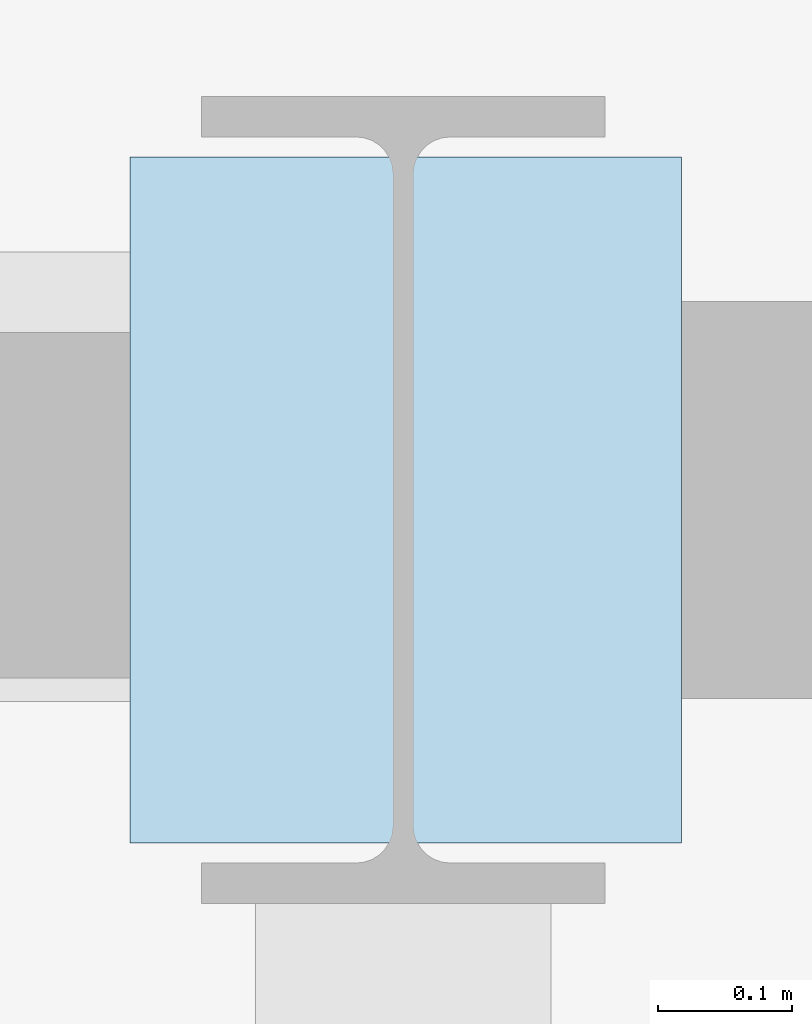
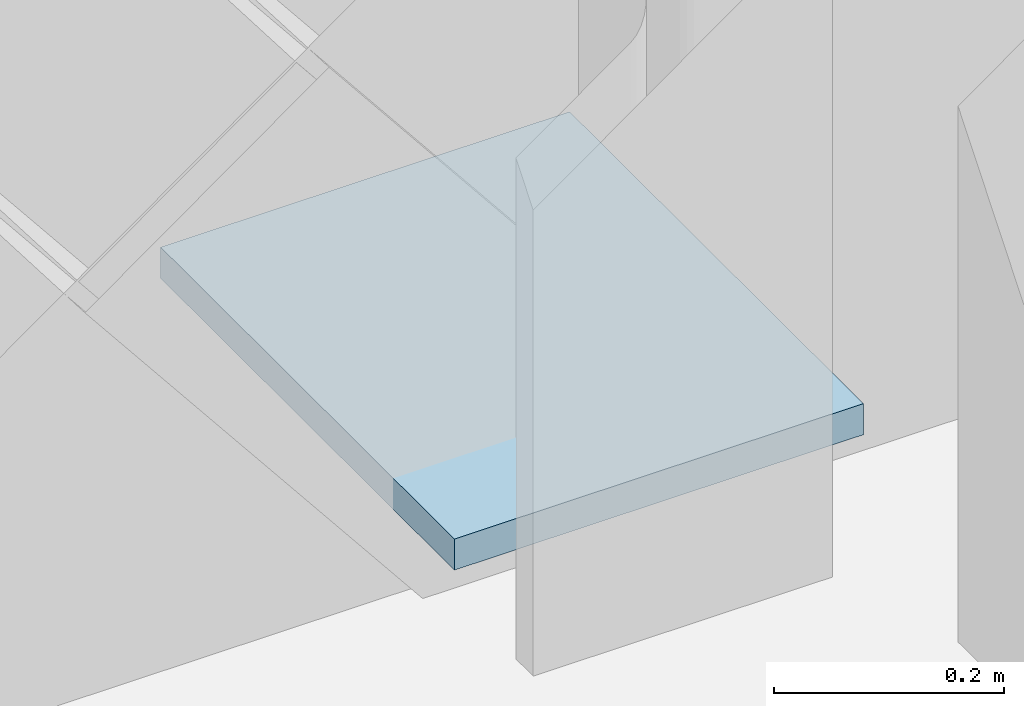
# One storey, part 82 of 124: 1 plate.
"""IFC4 building model written with IfcOpenShell, lengths in metres."""

from ifc_helpers import new_model, si_unit, direction, frame, origin, origin_2d, place, context, subcontext, project, spatial, rectangle, extrude, material, layer, layer_set, type_object, element, save


model = new_model("IFC4")

# Units and contexts
model_context = context("Model", 3, precision=1e-05, world=origin(), true_north=direction((0.0, 1.0)))
body_context = subcontext(model_context, "Body", "Model", "MODEL_VIEW")
ifc_project = project(units=[si_unit("LENGTHUNIT", "METRE"), si_unit("AREAUNIT", "SQUARE_METRE"), si_unit("VOLUMEUNIT", "CUBIC_METRE"), si_unit("PLANEANGLEUNIT", "RADIAN"), si_unit("MASSUNIT", "GRAM", prefix="KILO")], contexts=[model_context])

# Site, building, storey
site_placement = place(None, origin())
site = spatial("IfcSite", under=ifc_project, at=site_placement, CompositionType="ELEMENT")
building_placement = place(site_placement, origin())
building = spatial("IfcBuilding", under=site, at=building_placement, Name="Mersafa Astral City Hall", CompositionType="ELEMENT")
storey_placement = place(building_placement, origin())
storey = spatial("IfcBuildingStorey", under=building, at=storey_placement, Name="L00", CompositionType="ELEMENT", Elevation=0.0)

# Plate
ifc_material = material(Name="Steel S355", Category="steel")
ifc_layer = layer(ifc_material, 0.032958984375, Name="Steel S355")
ifc_layer_set = layer_set([ifc_layer], Name="Steel S355 — STR-PLT-NP-20")
plate_type = type_object("IfcPlateType", Name="STR-PLT-NP-20", PredefinedType="SHEET", material=ifc_layer_set)
plate_placement = place(storey_placement, frame((168.001953125, 126.0, 0.103515625), z_axis=(0.0, 0.0, 1.0), x_axis=(1.0, 0.0, 0.0)))
element("IfcPlate", 1, at=plate_placement, inside=storey, type_object=plate_type, Name="L00 Structural steel brace gusset plate NP-20", PredefinedType="SHEET", context=body_context, shape_type="SweptSolid", body=[
    extrude(rectangle(XDim=0.409912109375, YDim=0.510009765625, at=origin_2d()), origin(), (0.0, 0.0, 1.0), 0.032958984375),
])

save(model, "model.ifc")
